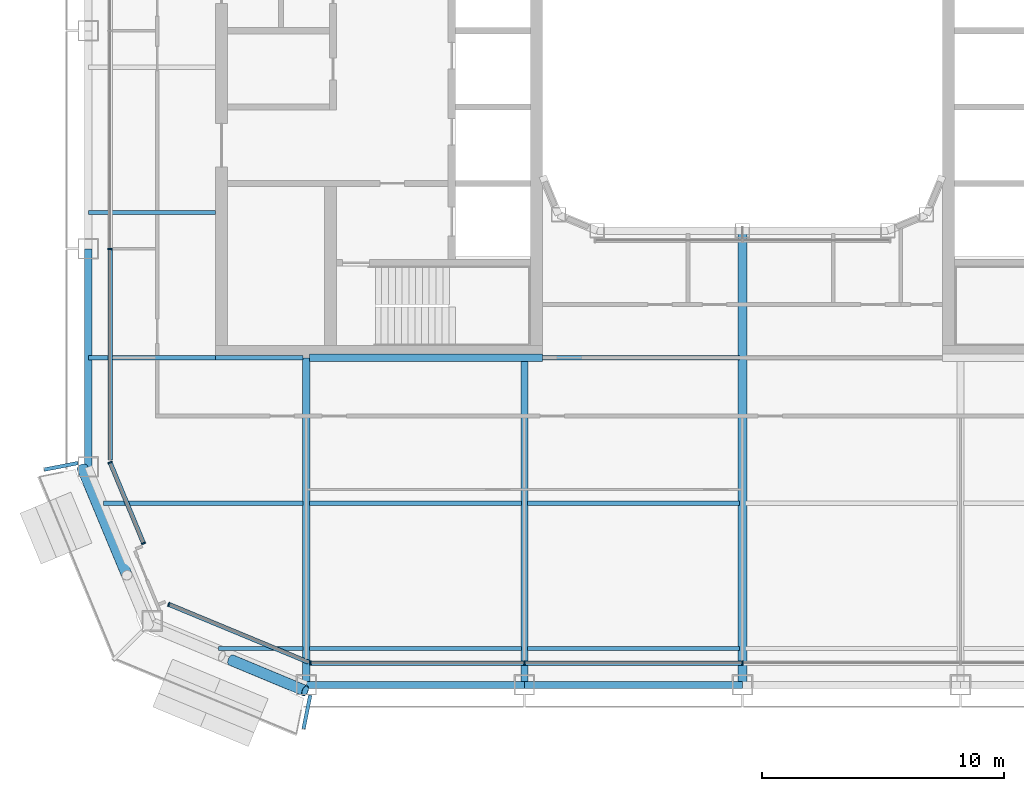
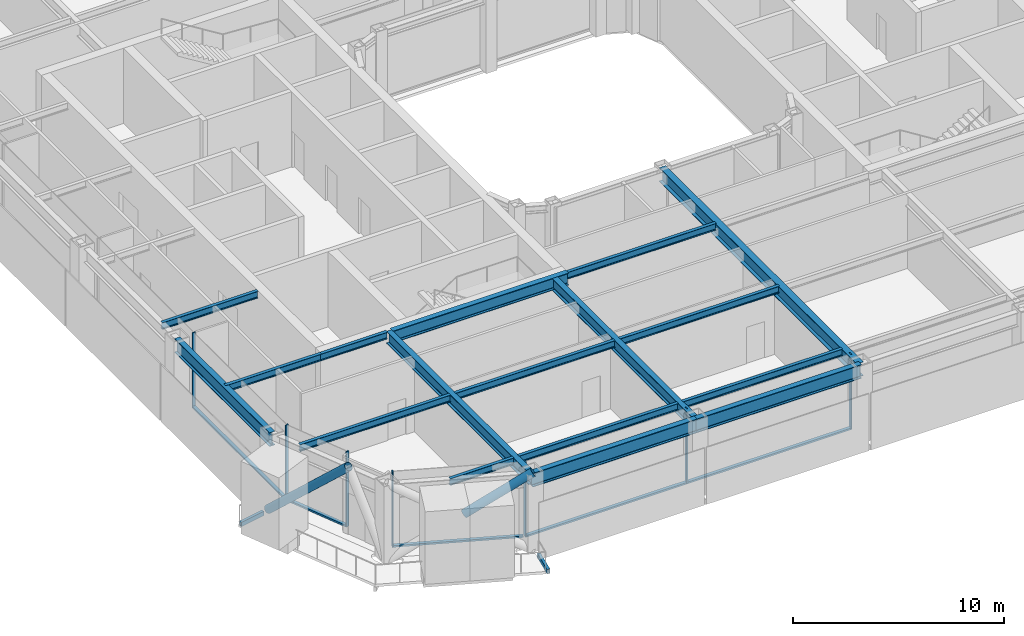
# One storey, part 2 of 24: 19 beams, 14 members, 4 elements without a shape of their own.
"""IFC4 building model written with IfcOpenShell, lengths in metres."""

from ifc_helpers import new_model, si_unit, direction, frame, origin, origin_2d, place, context, subcontext, project, spatial, rectangle, hollow_rectangle, hollow_circle, i_section, extrude, material, layer, layer_set, material_profile, profile_set, type_object, element, aggregate, save


model = new_model("IFC4")

# Units and contexts
model_context = context("Model", 3, precision=1e-05, world=origin(), true_north=direction((0.0, 1.0)))
body_context = subcontext(model_context, "Body", "Model", "MODEL_VIEW")
ifc_project = project(units=[si_unit("LENGTHUNIT", "METRE"), si_unit("AREAUNIT", "SQUARE_METRE"), si_unit("VOLUMEUNIT", "CUBIC_METRE"), si_unit("PLANEANGLEUNIT", "RADIAN"), si_unit("MASSUNIT", "GRAM", prefix="KILO")], contexts=[model_context])

# Site, building, storey
site_placement = place(None, origin())
site = spatial("IfcSite", under=ifc_project, at=site_placement, CompositionType="ELEMENT")
building_placement = place(site_placement, origin())
building = spatial("IfcBuilding", under=site, at=building_placement, Name="Siwar Civic Tower", CompositionType="ELEMENT")
storey_placement = place(building_placement, frame((0.0, 0.0, 215.199951171875)))
storey = spatial("IfcBuildingStorey", under=building, at=storey_placement, Name="L46", CompositionType="ELEMENT", Elevation=215.199951171875)

# Beams
ifc_material_1 = material(Name="Steel S355", Category="steel")
ifc_material_profile_1 = material_profile(ifc_material_1, hollow_rectangle(XDim=0.14990234375, YDim=0.25, WallThickness=0.010009765625, at=origin_2d()), Name="RHS250x150x10")
ifc_profile_set_1 = profile_set([ifc_material_profile_1], Name="Steel S355")
beam_type_1 = type_object("IfcBeamType", Name="ENV-BALCONY ARM", PredefinedType="BEAM", material=ifc_profile_set_1)
for number, where, z_axis, x_axis, name in (
    (1, (-27.425048828125, -17.83984375, -0.27490234375), (-0.980778884878, -0.195122471741, 0.0), (0.195122471741, -0.980778884878, 0.0), "Balcony cantilever beam SW 1"),
    (2, (-17.83984375, -27.425048828125, -0.27490234375), (-0.195122471741, -0.980778884878, 0.0), (0.980778884878, -0.195122471741, 0.0), "Balcony cantilever beam SW 3"),
):
    element("IfcBeam", number, at=place(storey_placement, frame(where, z_axis=z_axis, x_axis=x_axis)), inside=storey, type_object=beam_type_1, Name=name, PredefinedType="BEAM", context=body_context, shape_type="SweptSolid", body=[
        extrude(hollow_rectangle(XDim=0.14990234375, YDim=0.25, WallThickness=0.010009765625, at=origin_2d()), origin(), (0.0, 0.0, 1.0), 1.417724609375),
    ])

# Curtain wall, members
ifc_material_2 = material(Name="Aluminium and glass", Category="aluminium")
ifc_layer_1 = layer(ifc_material_2, 0.179931640625)
ifc_layer_set_1 = layer_set([ifc_layer_1], Name="Aluminium and glass")
curtain_wall_type_1 = type_object("IfcCurtainWallType", Name="ENV-CW-C", PredefinedType="NOTDEFINED", material=ifc_layer_set_1)
curtain_wall_1_placement = place(storey_placement, origin())
curtain_wall_1 = element("IfcCurtainWall", 3, at=curtain_wall_1_placement, inside=storey, type_object=curtain_wall_type_1, Name="Curtain wall C S", PredefinedType="NOTDEFINED")
ifc_material_3 = material(Name="Aluminium 6063-T6", Category="aluminium")
ifc_material_profile_2 = material_profile(ifc_material_3, rectangle(XDim=0.179931640625, YDim=0.06005859375, at=origin_2d()), Name="AL 180x60")
ifc_profile_set_2 = profile_set([ifc_material_profile_2], Name="Aluminium 6063-T6")
member_type_1 = type_object("IfcMemberType", Name="ENV-MULLION-C", PredefinedType="MULLION", material=ifc_profile_set_2)
member_1_placement = place(storey_placement, frame((-17.821044921875, -26.10009765625, 0.0), z_axis=(0.0, 0.0, 1.0), x_axis=(0.0, 1.0, 0.0)))
member_1 = element("IfcMember", 4, at=member_1_placement, type_object=member_type_1, Name="Mullion C S 1", PredefinedType="MULLION", context=body_context, shape_type="SweptSolid", body=[
    extrude(rectangle(XDim=0.179931640625, YDim=0.06005859375, at=origin_2d()), origin(), (0.0, 0.0, 1.0), 4.35009765625),
])
member_2_placement = place(storey_placement, frame((-9.0, -26.10009765625, 0.0), z_axis=(0.0, 0.0, 1.0), x_axis=(0.0, 1.0, 0.0)))
member_2 = element("IfcMember", 5, at=member_2_placement, type_object=member_type_1, Name="Mullion C S 2", PredefinedType="MULLION", context=body_context, shape_type="SweptSolid", body=[
    extrude(rectangle(XDim=0.179931640625, YDim=0.06005859375, at=origin_2d()), origin(), (0.0, 0.0, 1.0), 4.35009765625),
])
member_3_placement = place(storey_placement, frame((0.0, -26.10009765625, 0.0), z_axis=(0.0, 0.0, 1.0), x_axis=(0.0, 1.0, 0.0)))
member_3 = element("IfcMember", 6, at=member_3_placement, type_object=member_type_1, Name="Mullion C S 3", PredefinedType="MULLION", context=body_context, shape_type="SweptSolid", body=[
    extrude(rectangle(XDim=0.179931640625, YDim=0.06005859375, at=origin_2d()), origin(), (0.0, 0.0, 1.0), 4.35009765625),
])

# Curtain wall, member
curtain_wall_2_placement = place(storey_placement, origin())
curtain_wall_2 = element("IfcCurtainWall", 7, at=curtain_wall_2_placement, inside=storey, type_object=curtain_wall_type_1, Name="Curtain wall C W", PredefinedType="NOTDEFINED")
member_4_placement = place(storey_placement, frame((-26.10009765625, -9.0, 0.0), z_axis=(0.0, 0.0, 1.0), x_axis=(1.0, 0.0, 0.0)))
member_4 = element("IfcMember", 8, at=member_4_placement, type_object=member_type_1, Name="Mullion C W 4", PredefinedType="MULLION", context=body_context, shape_type="SweptSolid", body=[
    extrude(rectangle(XDim=0.179931640625, YDim=0.06005859375, at=origin_2d()), origin(), (0.0, 0.0, 1.0), 4.35009765625),
])

# Curtain wall, members
ifc_material_4 = material(Name="Aluminium clad insulated panel", Category="aluminium")
ifc_layer_2 = layer(ifc_material_4, 0.179931640625)
ifc_layer_set_2 = layer_set([ifc_layer_2], Name="Aluminium clad insulated panel")
curtain_wall_type_2 = type_object("IfcCurtainWallType", Name="ENV-CW-CX", PredefinedType="NOTDEFINED", material=ifc_layer_set_2)
curtain_wall_3_placement = place(storey_placement, origin())
curtain_wall_3 = element("IfcCurtainWall", 9, at=curtain_wall_3_placement, inside=storey, type_object=curtain_wall_type_2, Name="Curtain wall C SW1", PredefinedType="NOTDEFINED")
member_5_placement = place(storey_placement, frame((-26.10009765625, -17.821044921875, 0.0), z_axis=(0.0, 0.0, 1.0), x_axis=(0.923879532511, 0.382683432365, 0.0)))
member_5 = element("IfcMember", 10, at=member_5_placement, type_object=member_type_1, Name="Mullion C SW1 1", PredefinedType="MULLION", context=body_context, shape_type="SweptSolid", body=[
    extrude(rectangle(XDim=0.179931640625, YDim=0.06005859375, at=origin_2d()), origin(), (0.0, 0.0, 1.0), 4.35009765625),
])
member_6_placement = place(storey_placement, frame((-24.719482421875, -21.153564453125, 0.0), z_axis=(0.0, 0.0, 1.0), x_axis=(0.923879532511, 0.382683432365, 0.0)))
member_6 = element("IfcMember", 11, at=member_6_placement, type_object=member_type_1, Name="Mullion C SW1 2", PredefinedType="MULLION", context=body_context, shape_type="SweptSolid", body=[
    extrude(rectangle(XDim=0.179931640625, YDim=0.06005859375, at=origin_2d()), origin(), (0.0, 0.0, 1.0), 4.35009765625),
])

# Curtain wall, member
curtain_wall_4_placement = place(storey_placement, origin())
curtain_wall_4 = element("IfcCurtainWall", 12, at=curtain_wall_4_placement, inside=storey, type_object=curtain_wall_type_2, Name="Curtain wall C SW2", PredefinedType="NOTDEFINED")
member_7_placement = place(storey_placement, frame((-23.675048828125, -23.675048828125, 0.0), z_axis=(0.0, 0.0, 1.0), x_axis=(0.382683432365, 0.923879532511, 0.0)))
member_7 = element("IfcMember", 13, at=member_7_placement, type_object=member_type_1, Name="Mullion C SW2 1", PredefinedType="MULLION", context=body_context, shape_type="SweptSolid", body=[
    extrude(rectangle(XDim=0.179931640625, YDim=0.06005859375, at=origin_2d()), origin(), (0.0, 0.0, 1.0), 4.35009765625),
])

# Member
ifc_material_5 = material(Name="Aluminium 6063-T6", Category="aluminium")
ifc_material_profile_3 = material_profile(ifc_material_5, rectangle(XDim=0.179931640625, YDim=0.10009765625, at=origin_2d()), Name="AL 180x100")
ifc_profile_set_3 = profile_set([ifc_material_profile_3], Name="Aluminium 6063-T6")
member_type_2 = type_object("IfcMemberType", Name="ENV-TRANSOM-C", PredefinedType="USERDEFINED", material=ifc_profile_set_3)
member_8_placement = place(storey_placement, frame((-17.791015625, -26.10009765625, 0.050048828125), z_axis=(1.0, 0.0, 0.0), x_axis=(0.0, 1.0, 0.0)))
member_8 = element("IfcMember", 14, at=member_8_placement, type_object=member_type_2, Name="Transom C S 1", ObjectType="TRANSOM", PredefinedType="USERDEFINED", context=body_context, shape_type="SweptSolid", body=[
    extrude(rectangle(XDim=0.179931640625, YDim=0.10009765625, at=origin_2d()), origin(), (0.0, 0.0, 1.0), 8.760986328125),
])

member_9_placement = place(storey_placement, frame((-8.969970703125, -26.10009765625, 0.050048828125), z_axis=(1.0, 0.0, 0.0), x_axis=(0.0, 1.0, 0.0)))
member_9 = element("IfcMember", 15, at=member_9_placement, type_object=member_type_2, Name="Transom C S 2", ObjectType="TRANSOM", PredefinedType="USERDEFINED", context=body_context, shape_type="SweptSolid", body=[
    extrude(rectangle(XDim=0.179931640625, YDim=0.10009765625, at=origin_2d()), origin(), (0.0, 0.0, 1.0), 8.93994140625),
])

aggregate(curtain_wall_1, [member_1, member_2, member_3, member_8, member_9])

member_10_placement = place(storey_placement, frame((-26.10009765625, -9.030029296875, 0.050048828125), z_axis=(0.0, -1.0, 0.0), x_axis=(1.0, 0.0, 0.0)))
member_10 = element("IfcMember", 16, at=member_10_placement, type_object=member_type_2, Name="Transom C W 4", ObjectType="TRANSOM", PredefinedType="USERDEFINED", context=body_context, shape_type="SweptSolid", body=[
    extrude(rectangle(XDim=0.179931640625, YDim=0.10009765625, at=origin_2d()), origin(), (0.0, 0.0, 1.0), 8.68603515625),
])

aggregate(curtain_wall_2, [member_4, member_10])

member_11_placement = place(storey_placement, frame((-26.088623046875, -17.8486328125, 0.050048828125), z_axis=(0.3827185099, -0.92386500214, 0.0), x_axis=(0.92386500214, 0.3827185099, 0.0)))
member_11 = element("IfcMember", 17, at=member_11_placement, type_object=member_type_2, Name="Transom C SW1 1", ObjectType="TRANSOM", PredefinedType="USERDEFINED", context=body_context, shape_type="SweptSolid", body=[
    extrude(rectangle(XDim=0.179931640625, YDim=0.10009765625, at=origin_2d()), origin(), (0.0, 0.0, 1.0), 3.54736328125),
])

aggregate(curtain_wall_3, [member_5, member_6, member_11])

member_12_placement = place(storey_placement, frame((-23.6474609375, -23.6865234375, 0.050048828125), z_axis=(0.923876246063, -0.382691366456, 0.0), x_axis=(0.382691366456, 0.923876246063, 0.0)))
member_12 = element("IfcMember", 18, at=member_12_placement, type_object=member_type_2, Name="Transom C SW2 1", ObjectType="TRANSOM", PredefinedType="USERDEFINED", context=body_context, shape_type="SweptSolid", body=[
    extrude(rectangle(XDim=0.179931640625, YDim=0.10009765625, at=origin_2d()), origin(), (0.0, 0.0, 1.0), 6.20166015625),
])

aggregate(curtain_wall_4, [member_7, member_12])

# Members
ifc_material_6 = material(Name="Steel S355", Category="steel")
ifc_material_profile_4 = material_profile(ifc_material_6, hollow_circle(Radius=0.228515625, WallThickness=0.02001953125, at=origin_2d()), Name="CHS457x20")
ifc_profile_set_4 = profile_set([ifc_material_profile_4], Name="Steel S355")
member_type_3 = type_object("IfcMemberType", Name="STR-BR-CHS457x20", PredefinedType="BRACE", material=ifc_profile_set_4)
member_13_placement = place(storey_placement, frame((-21.10302734375, -25.972900390625, 2.383056640625), z_axis=(0.777572496853, -0.323895306243, 0.538955325357), x_axis=(0.38452107079, 0.92311621485, 0.0)))
element("IfcMember", 19, at=member_13_placement, inside=storey, type_object=member_type_3, Name="L46/brc/CSW1-6-0-3", PredefinedType="BRACE", context=body_context, shape_type="SweptSolid", body=[
    extrude(hollow_circle(Radius=0.228515625, WallThickness=0.02001953125, at=origin_2d()), origin(), (0.0, 0.0, 1.0), 3.927978515625),
])
member_14_placement = place(storey_placement, frame((-27.2451171875, -18.048828125, 0.0), z_axis=(0.280310719993, -0.672864582402, 0.684601456328), x_axis=(0.923101041979, 0.384557494138, 0.0)))
element("IfcMember", 20, at=member_14_placement, inside=storey, type_object=member_type_3, Name="L46/brc/CSW1-6-0-0", PredefinedType="BRACE", context=body_context, shape_type="SweptSolid", body=[
    extrude(hollow_circle(Radius=0.228515625, WallThickness=0.02001953125, at=origin_2d()), origin(), (0.0, 0.0, 1.0), 6.5732421875),
])

# Beams
ifc_material_7 = material(Name="Steel S355", Category="steel")
ifc_material_profile_5 = material_profile(ifc_material_7, i_section(OverallWidth=0.179931640625, OverallDepth=0.39990234375, WebThickness=0.008544921875, FlangeThickness=0.013427734375, FilletRadius=0.02099609375, at=origin_2d()), Name="IPE400")
ifc_profile_set_5 = profile_set([ifc_material_profile_5], Name="Steel S355")
beam_type_2 = type_object("IfcBeamType", Name="STR-FB-IPE400", PredefinedType="JOIST", material=ifc_profile_set_5)
beam_1_placement = place(storey_placement, frame((-21.621337890625, -25.5, 4.150146484375), z_axis=(1.0, 0.0, 0.0), x_axis=(0.0, 1.0, 0.0)))
element("IfcBeam", 21, at=beam_1_placement, inside=storey, type_object=beam_type_2, Name="L46/bm/F001", PredefinedType="JOIST", context=body_context, shape_type="SweptSolid", body=[
    extrude(i_section(OverallWidth=0.179931640625, OverallDepth=0.39990234375, WebThickness=0.008544921875, FlangeThickness=0.013427734375, FilletRadius=0.02099609375, at=origin_2d()), origin(), (0.0, 0.0, 1.0), 3.491455078125),
])
for number, where, z_axis, x_axis, name in (
    (22, (-17.8701171875, -25.5, 4.150146484375), (1.0, 0.0, 0.0), (0.0, 1.0, 0.0), "L46/bm/F002"),
    (23, (-8.8701171875, -25.5, 4.150146484375), (1.0, 0.0, 0.0), (0.0, 1.0, 0.0), "L46/bm/F003"),
):
    element("IfcBeam", number, at=place(storey_placement, frame(where, z_axis=z_axis, x_axis=x_axis)), inside=storey, type_object=beam_type_2, Name=name, PredefinedType="JOIST", context=body_context, shape_type="SweptSolid", body=[
        extrude(i_section(OverallWidth=0.179931640625, OverallDepth=0.39990234375, WebThickness=0.008544921875, FlangeThickness=0.013427734375, FilletRadius=0.02099609375, at=origin_2d()), origin(), (0.0, 0.0, 1.0), 8.740234375),
    ])
beam_2_placement = place(storey_placement, frame((-26.378662109375, -19.5, 4.150146484375), z_axis=(1.0, 0.0, 0.0), x_axis=(0.0, 1.0, 0.0)))
element("IfcBeam", 24, at=beam_2_placement, inside=storey, type_object=beam_type_2, Name="L46/bm/F007", PredefinedType="JOIST", context=body_context, shape_type="SweptSolid", body=[
    extrude(i_section(OverallWidth=0.179931640625, OverallDepth=0.39990234375, WebThickness=0.008544921875, FlangeThickness=0.013427734375, FilletRadius=0.02099609375, at=origin_2d()), origin(), (0.0, 0.0, 1.0), 8.248779296875),
])
for number, where, z_axis, x_axis, name in (
    (25, (-17.8701171875, -19.5, 4.150146484375), (1.0, 0.0, 0.0), (0.0, 1.0, 0.0), "L46/bm/F008"),
    (26, (-8.8701171875, -19.5, 4.150146484375), (1.0, 0.0, 0.0), (0.0, 1.0, 0.0), "L46/bm/F009"),
):
    element("IfcBeam", number, at=place(storey_placement, frame(where, z_axis=z_axis, x_axis=x_axis)), inside=storey, type_object=beam_type_2, Name=name, PredefinedType="JOIST", context=body_context, shape_type="SweptSolid", body=[
        extrude(i_section(OverallWidth=0.179931640625, OverallDepth=0.39990234375, WebThickness=0.008544921875, FlangeThickness=0.013427734375, FilletRadius=0.02099609375, at=origin_2d()), origin(), (0.0, 0.0, 1.0), 8.740234375),
    ])
beam_3_placement = place(storey_placement, frame((-27.0, -13.5, 4.150146484375), z_axis=(1.0, 0.0, 0.0), x_axis=(0.0, 1.0, 0.0)))
element("IfcBeam", 27, at=beam_3_placement, inside=storey, type_object=beam_type_2, Name="L46/bm/F013", PredefinedType="JOIST", context=body_context, shape_type="SweptSolid", body=[
    extrude(i_section(OverallWidth=0.179931640625, OverallDepth=0.39990234375, WebThickness=0.008544921875, FlangeThickness=0.013427734375, FilletRadius=0.02099609375, at=origin_2d()), origin(), (0.0, 0.0, 1.0), 5.25),
])
beam_4_placement = place(storey_placement, frame((-21.75, -13.5, 4.150146484375), z_axis=(1.0, 0.0, 0.0), x_axis=(0.0, 1.0, 0.0)))
element("IfcBeam", 28, at=beam_4_placement, inside=storey, type_object=beam_type_2, Name="L46/bm/F014", PredefinedType="JOIST", context=body_context, shape_type="SweptSolid", body=[
    extrude(i_section(OverallWidth=0.179931640625, OverallDepth=0.39990234375, WebThickness=0.008544921875, FlangeThickness=0.013427734375, FilletRadius=0.02099609375, at=origin_2d()), origin(), (0.0, 0.0, 1.0), 3.6201171875),
])
beam_5_placement = place(storey_placement, frame((-8.25, -13.5, 4.150146484375), z_axis=(1.0, 0.0, 0.0), x_axis=(0.0, 1.0, 0.0)))
element("IfcBeam", 29, at=beam_5_placement, inside=storey, type_object=beam_type_2, Name="L46/bm/F016", PredefinedType="JOIST", context=body_context, shape_type="SweptSolid", body=[
    extrude(i_section(OverallWidth=0.179931640625, OverallDepth=0.39990234375, WebThickness=0.008544921875, FlangeThickness=0.013427734375, FilletRadius=0.02099609375, at=origin_2d()), origin(), (0.0, 0.0, 1.0), 8.1201171875),
])
beam_6_placement = place(storey_placement, frame((-27.0, -7.5, 4.150146484375), z_axis=(1.0, 0.0, 0.0), x_axis=(0.0, 1.0, 0.0)))
element("IfcBeam", 30, at=beam_6_placement, inside=storey, type_object=beam_type_2, Name="L46/bm/F021", PredefinedType="JOIST", context=body_context, shape_type="SweptSolid", body=[
    extrude(i_section(OverallWidth=0.179931640625, OverallDepth=0.39990234375, WebThickness=0.008544921875, FlangeThickness=0.013427734375, FilletRadius=0.02099609375, at=origin_2d()), origin(), (0.0, 0.0, 1.0), 5.25),
])
ifc_material_8 = material(Name="Steel S355", Category="steel")
ifc_material_profile_6 = material_profile(ifc_material_8, i_section(OverallWidth=0.300048828125, OverallDepth=0.699951171875, WebThickness=0.01708984375, FlangeThickness=0.031982421875, FilletRadius=0.027099609375, at=origin_2d()), Name="HEB700")
ifc_profile_set_6 = profile_set([ifc_material_profile_6], Name="Steel S355")
beam_type_3 = type_object("IfcBeamType", Name="STR-PG-HEB700", PredefinedType="BEAM", material=ifc_profile_set_6)
for number, where, z_axis, x_axis, name in (
    (31, (-18.0, -27.0, 4.0), (0.0, 1.0, 0.0), (-1.0, 0.0, 0.0), "L46/bm/G01"),
    (32, (-9.0, -27.0, 4.0), (0.0, 1.0, 0.0), (-1.0, 0.0, 0.0), "L46/bm/G03"),
):
    element("IfcBeam", number, at=place(storey_placement, frame(where, z_axis=z_axis, x_axis=x_axis)), inside=storey, type_object=beam_type_3, Name=name, PredefinedType="BEAM", context=body_context, shape_type="SweptSolid", body=[
        extrude(i_section(OverallWidth=0.300048828125, OverallDepth=0.699951171875, WebThickness=0.01708984375, FlangeThickness=0.031982421875, FilletRadius=0.027099609375, at=origin_2d()), origin(), (0.0, 0.0, 1.0), 13.5),
    ])
beam_7_placement = place(storey_placement, frame((-17.8701171875, -13.5, 4.0), z_axis=(1.0, 0.0, 0.0), x_axis=(0.0, 1.0, 0.0)))
element("IfcBeam", 33, at=beam_7_placement, inside=storey, type_object=beam_type_3, Name="L46/bm/F015", PredefinedType="BEAM", context=body_context, shape_type="SweptSolid", body=[
    extrude(i_section(OverallWidth=0.300048828125, OverallDepth=0.699951171875, WebThickness=0.01708984375, FlangeThickness=0.031982421875, FilletRadius=0.027099609375, at=origin_2d()), origin(), (0.0, 0.0, 1.0), 9.6201171875),
])
ifc_material_9 = material(Name="Steel S355", Category="steel")
ifc_material_profile_7 = material_profile(ifc_material_9, i_section(OverallWidth=0.360107421875, OverallDepth=0.800048828125, WebThickness=0.013916015625, FlangeThickness=0.031982421875, at=origin_2d()), Name="PG800x360x14x32")
ifc_profile_set_7 = profile_set([ifc_material_profile_7], Name="Steel S355")
beam_type_4 = type_object("IfcBeamType", Name="STR-PG-PG800x360x14x32", PredefinedType="BEAM", material=ifc_profile_set_7)
beam_8_placement = place(storey_placement, frame((0.0, -27.0, 3.949951171875), z_axis=(0.0, 1.0, 0.0), x_axis=(-1.0, 0.0, 0.0)))
element("IfcBeam", 34, at=beam_8_placement, inside=storey, type_object=beam_type_4, Name="L46/bm/G05", PredefinedType="BEAM", context=body_context, shape_type="SweptSolid", body=[
    extrude(i_section(OverallWidth=0.360107421875, OverallDepth=0.800048828125, WebThickness=0.013916015625, FlangeThickness=0.031982421875, at=origin_2d()), origin(), (0.0, 0.0, 1.0), 18.75),
])
ifc_material_10 = material(Name="Steel S355", Category="steel")
ifc_material_profile_8 = material_profile(ifc_material_10, i_section(OverallWidth=0.300048828125, OverallDepth=0.800048828125, WebThickness=0.017578125, FlangeThickness=0.032958984375, FilletRadius=0.030029296875, at=origin_2d()), Name="HEB800")
ifc_profile_set_8 = profile_set([ifc_material_profile_8], Name="Steel S355")
beam_type_5 = type_object("IfcBeamType", Name="STR-SB-HEB800", PredefinedType="BEAM", material=ifc_profile_set_8)
for number, where, z_axis, x_axis, name in (
    (35, (-18.0, -27.0, 3.949951171875), (1.0, 0.0, 0.0), (0.0, 1.0, 0.0), "L46/bm/SS-0"),
    (36, (-9.0, -27.0, 3.949951171875), (1.0, 0.0, 0.0), (0.0, 1.0, 0.0), "L46/bm/SS-1"),
    (37, (-27.0, -9.0, 3.949951171875), (0.0, -1.0, 0.0), (1.0, 0.0, 0.0), "L46/bm/SW-3"),
):
    element("IfcBeam", number, at=place(storey_placement, frame(where, z_axis=z_axis, x_axis=x_axis)), inside=storey, type_object=beam_type_5, Name=name, PredefinedType="BEAM", context=body_context, shape_type="SweptSolid", body=[
        extrude(i_section(OverallWidth=0.300048828125, OverallDepth=0.800048828125, WebThickness=0.017578125, FlangeThickness=0.032958984375, FilletRadius=0.030029296875, at=origin_2d()), origin(), (0.0, 0.0, 1.0), 9.0),
    ])

save(model, "model.ifc")
